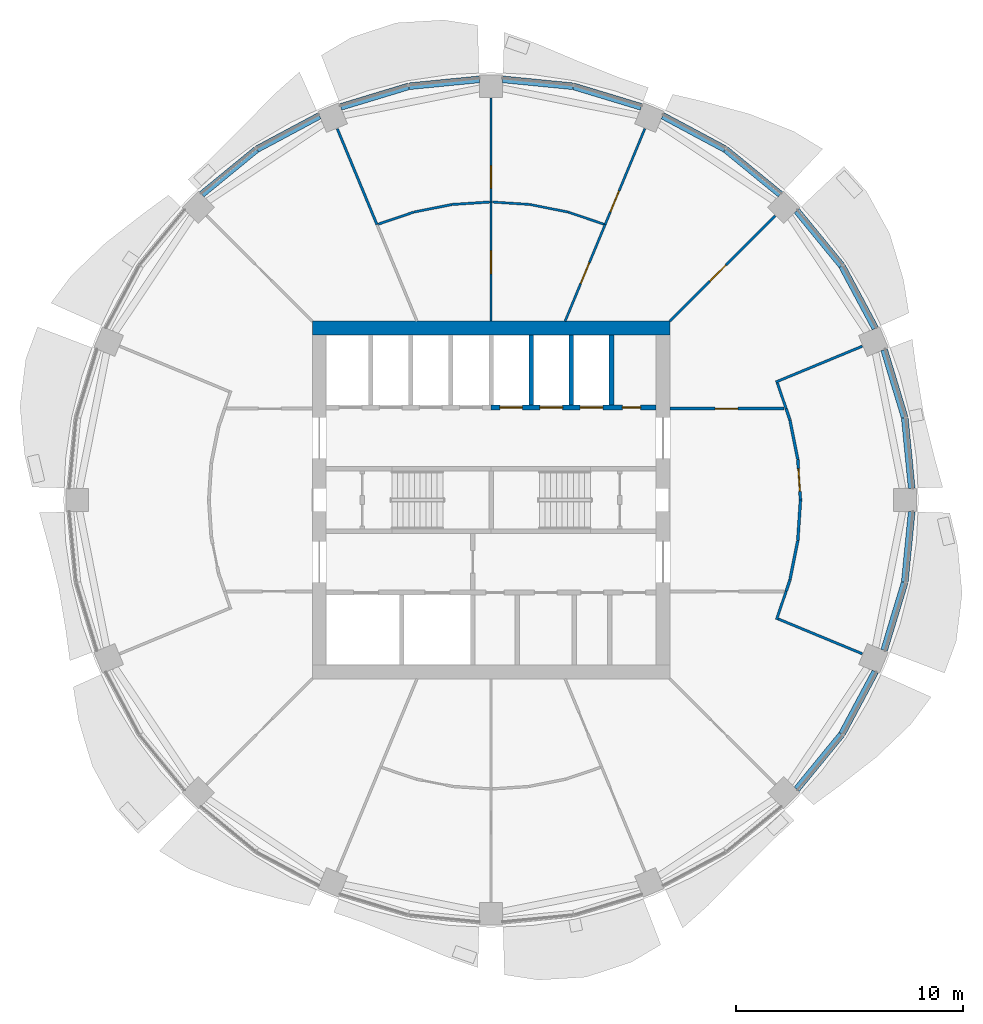
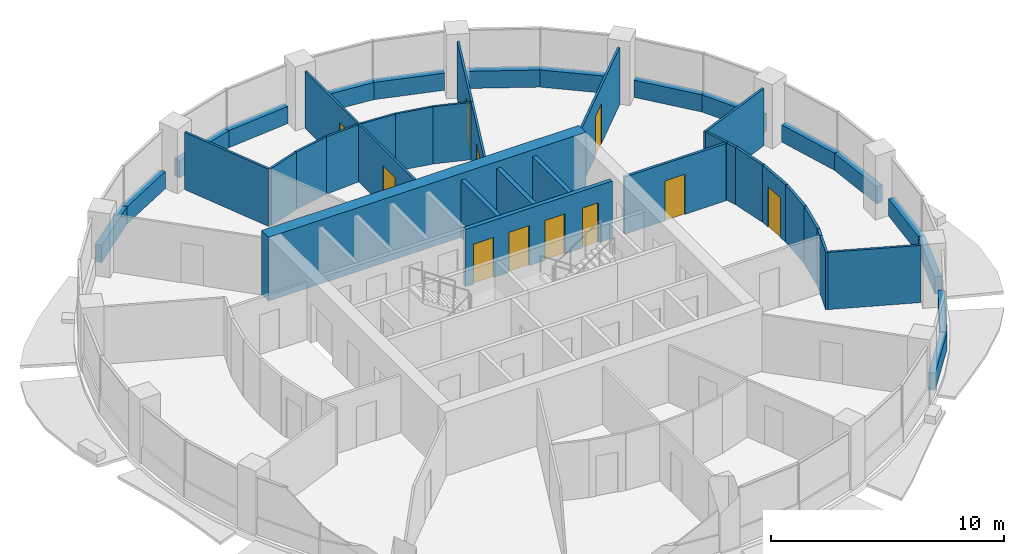
# One storey, part 10 of 15: 44 walls, 11 doors, 11 openings.
"""IFC4 building model written with IfcOpenShell, lengths in metres."""

from ifc_helpers import new_model, si_unit, direction, frame, frame_2d, origin, place, context, subcontext, project, spatial, rectangle, extrude, material, layer, layer_set, type_object, element, fill, save


model = new_model("IFC4")

# Units and contexts
model_context = context("Model", 3, precision=1e-05, world=origin(), true_north=direction((0.0, 1.0)))
body_context = subcontext(model_context, "Body", "Model", "MODEL_VIEW")
ifc_project = project(units=[si_unit("LENGTHUNIT", "METRE"), si_unit("AREAUNIT", "SQUARE_METRE"), si_unit("VOLUMEUNIT", "CUBIC_METRE"), si_unit("PLANEANGLEUNIT", "RADIAN"), si_unit("MASSUNIT", "GRAM", prefix="KILO")], contexts=[model_context])

# Site, building, storey
site_placement = place(None, origin())
site = spatial("IfcSite", under=ifc_project, at=site_placement, CompositionType="ELEMENT")
building_placement = place(site_placement, origin())
building = spatial("IfcBuilding", under=site, at=building_placement, Name="Polderwave Tower", CompositionType="ELEMENT")
storey_placement = place(building_placement, frame((0.0, 0.0, 157.800048828125)))
storey = spatial("IfcBuildingStorey", under=building, at=storey_placement, Name="L42", CompositionType="ELEMENT", Elevation=157.800048828125)

# Walls
ifc_material_1 = material(Name="Concrete C60/75", Category="concrete")
ifc_layer_1 = layer(ifc_material_1, 0.60009765625)
ifc_layer_set_1 = layer_set([ifc_layer_1], Name="CORE WALL 600 C60/75")
wall_type_1 = type_object("IfcWallType", Name="CORE WALL 600 C60/75", PredefinedType="SHEAR", material=ifc_layer_set_1)
wall_1_placement = place(storey_placement, frame((-7.8740234375, 7.573974609375, 0.0), z_axis=(0.0, 0.0, 1.0), x_axis=(1.0, 0.0, 0.0)))
element("IfcWall", 1, at=wall_1_placement, inside=storey, type_object=wall_type_1, Name="ST-CORE-L42-N", PredefinedType="SHEAR", context=body_context, shape_type="SweptSolid", body=[
    extrude(rectangle(XDim=15.748046875, YDim=0.60009765625, at=frame_2d((7.8740234375, 0.0))), origin(), (0.0, 0.0, 1.0), 3.349853515625),
])
ifc_material_2 = material(Name="Concrete C50/60 (board-marked)", Category="concrete")
ifc_layer_2 = layer(ifc_material_2, 0.300048828125)
ifc_layer_set_2 = layer_set([ifc_layer_2], Name="Concrete spandrel upstand C50/60")
wall_type_2 = type_object("IfcWallType", Name="Concrete spandrel upstand C50/60", PredefinedType="SOLIDWALL", material=ifc_layer_set_2)
wall_2_placement = place(storey_placement, frame((18.529541015625, 0.513916015625, 0.0), z_axis=(0.0, 0.0, 1.0), x_axis=(-0.098011857239, 0.995185246997, 0.0)))
element("IfcWall", 2, at=wall_2_placement, inside=storey, type_object=wall_type_2, Name="Spandrel L42 1a", PredefinedType="SOLIDWALL", context=body_context, shape_type="SweptSolid", body=[
    extrude(rectangle(XDim=3.111083984375, YDim=0.300048828125, at=frame_2d((1.5556640625, 0.0))), origin(), (0.0, 0.0, 1.0), 0.89990234375),
])
wall_3_placement = place(storey_placement, frame((18.218505859375, 3.639404296875, 0.0), z_axis=(0.0, 0.0, 1.0), x_axis=(-0.29026219948, 0.956947154002, 0.0)))
element("IfcWall", 3, at=wall_3_placement, inside=storey, type_object=wall_type_2, Name="Spandrel L42 1b", PredefinedType="SOLIDWALL", context=body_context, shape_type="SweptSolid", body=[
    extrude(rectangle(XDim=3.111328125, YDim=0.300048828125, at=frame_2d((1.5556640625, 0.0))), origin(), (0.0, 0.0, 1.0), 0.89990234375),
])
wall_4_placement = place(storey_placement, frame((16.921875, 7.565185546875, 0.0), z_axis=(0.0, 0.0, 1.0), x_axis=(-0.471467771589, 0.881883291798, 0.0)))
element("IfcWall", 4, at=wall_4_placement, inside=storey, type_object=wall_type_2, Name="Spandrel L42 2a", PredefinedType="SOLIDWALL", context=body_context, shape_type="SweptSolid", body=[
    extrude(rectangle(XDim=3.111083984375, YDim=0.300048828125, at=frame_2d((1.5556640625, 0.0))), origin(), (0.0, 0.0, 1.0), 0.89990234375),
])
for number, where, z_axis, x_axis, name in (
    (5, (15.4384765625, 10.33349609375, 0.0), (0.0, 0.0, 1.0), (-0.634074896441, 0.773271637721, 0.0), "Spandrel L42 2b"),
    (6, (12.739501953125, 13.465576171875, 0.0), (0.0, 0.0, 1.0), (-0.773271637721, 0.634074896441, 0.0), "Spandrel L42 3a"),
):
    element("IfcWall", number, at=place(storey_placement, frame(where, z_axis=z_axis, x_axis=x_axis)), inside=storey, type_object=wall_type_2, Name=name, PredefinedType="SOLIDWALL", context=body_context, shape_type="SweptSolid", body=[
        extrude(rectangle(XDim=3.111572265625, YDim=0.300048828125, at=frame_2d((1.5556640625, 0.0))), origin(), (0.0, 0.0, 1.0), 0.89990234375),
    ])
wall_5_placement = place(storey_placement, frame((10.308837890625, 15.455078125, 0.0), z_axis=(0.0, 0.0, 1.0), x_axis=(-0.881883291798, 0.471467771589, 0.0)))
element("IfcWall", 7, at=wall_5_placement, inside=storey, type_object=wall_type_2, Name="Spandrel L42 3b", PredefinedType="SOLIDWALL", context=body_context, shape_type="SweptSolid", body=[
    extrude(rectangle(XDim=3.111083984375, YDim=0.300048828125, at=frame_2d((1.5556640625, 0.0))), origin(), (0.0, 0.0, 1.0), 0.89990234375),
])
wall_6_placement = place(storey_placement, frame((6.61669921875, 17.3154296875, 0.0), z_axis=(0.0, 0.0, 1.0), x_axis=(-0.956947154002, 0.29026219948, 0.0)))
element("IfcWall", 8, at=wall_6_placement, inside=storey, type_object=wall_type_2, Name="Spandrel L42 4a", PredefinedType="SOLIDWALL", context=body_context, shape_type="SweptSolid", body=[
    extrude(rectangle(XDim=3.111328125, YDim=0.300048828125, at=frame_2d((1.5556640625, 0.0))), origin(), (0.0, 0.0, 1.0), 0.89990234375),
])
for number, where, z_axis, x_axis, name in (
    (9, (3.610107421875, 18.224609375, 0.0), (0.0, 0.0, 1.0), (-0.995185246997, 0.098011857239, 0.0), "Spandrel L42 4b"),
    (10, (-0.513916015625, 18.529541015625, 0.0), (0.0, 0.0, 1.0), (-0.995185246997, -0.098011857239, 0.0), "Spandrel L42 5a"),
):
    element("IfcWall", number, at=place(storey_placement, frame(where, z_axis=z_axis, x_axis=x_axis)), inside=storey, type_object=wall_type_2, Name=name, PredefinedType="SOLIDWALL", context=body_context, shape_type="SweptSolid", body=[
        extrude(rectangle(XDim=3.111083984375, YDim=0.300048828125, at=frame_2d((1.5556640625, 0.0))), origin(), (0.0, 0.0, 1.0), 0.89990234375),
    ])
wall_7_placement = place(storey_placement, frame((-3.639404296875, 18.218505859375, 0.0), z_axis=(0.0, 0.0, 1.0), x_axis=(-0.956947154002, -0.29026219948, 0.0)))
element("IfcWall", 11, at=wall_7_placement, inside=storey, type_object=wall_type_2, Name="Spandrel L42 5b", PredefinedType="SOLIDWALL", context=body_context, shape_type="SweptSolid", body=[
    extrude(rectangle(XDim=3.111328125, YDim=0.300048828125, at=frame_2d((1.5556640625, 0.0))), origin(), (0.0, 0.0, 1.0), 0.89990234375),
])
wall_8_placement = place(storey_placement, frame((-7.565185546875, 16.921875, 0.0), z_axis=(0.0, 0.0, 1.0), x_axis=(-0.881883291798, -0.471467771589, 0.0)))
element("IfcWall", 12, at=wall_8_placement, inside=storey, type_object=wall_type_2, Name="Spandrel L42 6a", PredefinedType="SOLIDWALL", context=body_context, shape_type="SweptSolid", body=[
    extrude(rectangle(XDim=3.111083984375, YDim=0.300048828125, at=frame_2d((1.5556640625, 0.0))), origin(), (0.0, 0.0, 1.0), 0.89990234375),
])
for number, where, z_axis, x_axis, name in (
    (13, (-10.33349609375, 15.4384765625, 0.0), (0.0, 0.0, 1.0), (-0.773271637721, -0.634074896441, 0.0), "Spandrel L42 6b"),
    (14, (13.465576171875, -12.739501953125, 0.0), (0.0, 0.0, 1.0), (0.634074896441, 0.773271637721, 0.0), "Spandrel L42 15a"),
):
    element("IfcWall", number, at=place(storey_placement, frame(where, z_axis=z_axis, x_axis=x_axis)), inside=storey, type_object=wall_type_2, Name=name, PredefinedType="SOLIDWALL", context=body_context, shape_type="SweptSolid", body=[
        extrude(rectangle(XDim=3.111572265625, YDim=0.300048828125, at=frame_2d((1.5556640625, 0.0))), origin(), (0.0, 0.0, 1.0), 0.89990234375),
    ])
wall_9_placement = place(storey_placement, frame((15.455078125, -10.308837890625, 0.0), z_axis=(0.0, 0.0, 1.0), x_axis=(0.471467771589, 0.881883291798, 0.0)))
element("IfcWall", 15, at=wall_9_placement, inside=storey, type_object=wall_type_2, Name="Spandrel L42 15b", PredefinedType="SOLIDWALL", context=body_context, shape_type="SweptSolid", body=[
    extrude(rectangle(XDim=3.111083984375, YDim=0.300048828125, at=frame_2d((1.5556640625, 0.0))), origin(), (0.0, 0.0, 1.0), 0.89990234375),
])
wall_10_placement = place(storey_placement, frame((17.3154296875, -6.61669921875, 0.0), z_axis=(0.0, 0.0, 1.0), x_axis=(0.29026219948, 0.956947154002, 0.0)))
element("IfcWall", 16, at=wall_10_placement, inside=storey, type_object=wall_type_2, Name="Spandrel L42 16a", PredefinedType="SOLIDWALL", context=body_context, shape_type="SweptSolid", body=[
    extrude(rectangle(XDim=3.111328125, YDim=0.300048828125, at=frame_2d((1.5556640625, 0.0))), origin(), (0.0, 0.0, 1.0), 0.89990234375),
])
wall_11_placement = place(storey_placement, frame((18.224609375, -3.610107421875, 0.0), z_axis=(0.0, 0.0, 1.0), x_axis=(0.098011857239, 0.995185246997, 0.0)))
element("IfcWall", 17, at=wall_11_placement, inside=storey, type_object=wall_type_2, Name="Spandrel L42 16b", PredefinedType="SOLIDWALL", context=body_context, shape_type="SweptSolid", body=[
    extrude(rectangle(XDim=3.111083984375, YDim=0.300048828125, at=frame_2d((1.5556640625, 0.0))), origin(), (0.0, 0.0, 1.0), 0.89990234375),
])

# Wall, openings, doors
ifc_material_3 = material(Name="Concrete C50/60", Category="concrete")
ifc_layer_3 = layer(ifc_material_3, 0.199951171875)
ifc_layer_set_3 = layer_set([ifc_layer_3], Name="Core web wall 200")
wall_type_3 = type_object("IfcWallType", Name="Core web wall 200", PredefinedType="SHEAR", material=ifc_layer_set_3)
wall_12_placement = place(storey_placement, frame((0.0, 4.073974609375, 0.0), z_axis=(0.0, 0.0, 1.0), x_axis=(1.0, 0.0, 0.0)))
wall_12 = element("IfcWall", 18, at=wall_12_placement, inside=storey, type_object=wall_type_3, Name="L42 north front wall 2", PredefinedType="SHEAR", context=body_context, shape_type="SweptSolid", body=[
    extrude(rectangle(XDim=7.27392578125, YDim=0.199951171875, at=frame_2d((3.636962890625, 0.0))), origin(), (0.0, 0.0, 1.0), 3.0),
])
opening_1_placement = place(wall_12_placement, frame((0.38427734375, 0.0, 0.0)))
opening_1 = element("IfcOpeningElement", 19, at=opening_1_placement, cuts=wall_12, Name="Opening L42-D07", PredefinedType="OPENING", context=body_context, shape_type="SweptSolid", body=[
    extrude(rectangle(XDim=1.0, YDim=2.10009765625, at=frame_2d((0.5, 1.050048828125))), frame((0.0, 0.10986328125, 0.0), z_axis=(0.0, -1.0, 0.0), x_axis=(1.0, 0.0, 0.0)), (0.0, 0.0, 1.0), 0.219970703125),
])
opening_2_placement = place(wall_12_placement, frame((2.15283203125, 0.0, 0.0)))
opening_2 = element("IfcOpeningElement", 20, at=opening_2_placement, cuts=wall_12, Name="Opening L42-D08", PredefinedType="OPENING", context=body_context, shape_type="SweptSolid", body=[
    extrude(rectangle(XDim=1.0, YDim=2.10009765625, at=frame_2d((0.5, 1.050048828125))), frame((0.0, 0.10986328125, 0.0), z_axis=(0.0, -1.0, 0.0), x_axis=(1.0, 0.0, 0.0)), (0.0, 0.0, 1.0), 0.219970703125),
])
opening_3_placement = place(wall_12_placement, frame((3.921142578125, 0.0, 0.0)))
opening_3 = element("IfcOpeningElement", 21, at=opening_3_placement, cuts=wall_12, Name="Opening L42-D09", PredefinedType="OPENING", context=body_context, shape_type="SweptSolid", body=[
    extrude(rectangle(XDim=1.0, YDim=2.10009765625, at=frame_2d((0.5, 1.050048828125))), frame((0.0, 0.10986328125, 0.0), z_axis=(0.0, -1.0, 0.0), x_axis=(1.0, 0.0, 0.0)), (0.0, 0.0, 1.0), 0.219970703125),
])
opening_4_placement = place(wall_12_placement, frame((5.789794921875, 0.0, 0.0)))
opening_4 = element("IfcOpeningElement", 22, at=opening_4_placement, cuts=wall_12, Name="Opening L42-D19", PredefinedType="OPENING", context=body_context, shape_type="SweptSolid", body=[
    extrude(rectangle(XDim=0.800048828125, YDim=2.10009765625, at=frame_2d((0.39990234375, 1.050048828125))), frame((0.0, 0.10986328125, 0.0), z_axis=(0.0, -1.0, 0.0), x_axis=(1.0, 0.0, 0.0)), (0.0, 0.0, 1.0), 0.219970703125),
])
ifc_material_4 = material(Name="Stainless steel", Category="steel")
door_type_1 = type_object("IfcDoorType", Name="Lift landing door 1000", OperationType="DOUBLE_DOOR_SLIDING", PredefinedType="DOOR", material=ifc_material_4)
door_1_placement = place(opening_1_placement, frame((1.0, 0.0, 0.0), z_axis=(0.0, 0.0, 1.0), x_axis=(-1.0, 0.0, 0.0)))
door_1 = element("IfcDoor", 23, at=door_1_placement, inside=storey, type_object=door_type_1, Name="Lift HL5 landing door", OperationType="DOUBLE_DOOR_SLIDING", OverallHeight=2.10009765625, OverallWidth=1.0, PredefinedType="DOOR", context=body_context, shape_type="SweptSolid", body=[
    extrude(rectangle(XDim=1.0, YDim=2.10009765625, at=frame_2d((0.5, 1.050048828125))), frame((0.0, 0.02490234375, 0.0), z_axis=(0.0, -1.0, 0.0), x_axis=(1.0, 0.0, 0.0)), (0.0, 0.0, 1.0), 0.050048828125),
])
fill(opening_1, door_1)
door_2_placement = place(opening_2_placement, frame((1.0, 0.0, 0.0), z_axis=(0.0, 0.0, 1.0), x_axis=(-1.0, 0.0, 0.0)))
door_2 = element("IfcDoor", 24, at=door_2_placement, inside=storey, type_object=door_type_1, Name="Lift HL6 landing door", OperationType="DOUBLE_DOOR_SLIDING", OverallHeight=2.10009765625, OverallWidth=1.0, PredefinedType="DOOR", context=body_context, shape_type="SweptSolid", body=[
    extrude(rectangle(XDim=1.0, YDim=2.10009765625, at=frame_2d((0.5, 1.050048828125))), frame((0.0, 0.02490234375, 0.0), z_axis=(0.0, -1.0, 0.0), x_axis=(1.0, 0.0, 0.0)), (0.0, 0.0, 1.0), 0.050048828125),
])
fill(opening_2, door_2)
door_3_placement = place(opening_3_placement, frame((1.0, 0.0, 0.0), z_axis=(0.0, 0.0, 1.0), x_axis=(-1.0, 0.0, 0.0)))
door_3 = element("IfcDoor", 25, at=door_3_placement, inside=storey, type_object=door_type_1, Name="Lift HL7 landing door", OperationType="DOUBLE_DOOR_SLIDING", OverallHeight=2.10009765625, OverallWidth=1.0, PredefinedType="DOOR", context=body_context, shape_type="SweptSolid", body=[
    extrude(rectangle(XDim=1.0, YDim=2.10009765625, at=frame_2d((0.5, 1.050048828125))), frame((0.0, 0.02490234375, 0.0), z_axis=(0.0, -1.0, 0.0), x_axis=(1.0, 0.0, 0.0)), (0.0, 0.0, 1.0), 0.050048828125),
])
fill(opening_3, door_3)
ifc_material_5 = material(Name="Steel fire door", Category="steel")
door_type_2 = type_object("IfcDoorType", Name="Riser door 800", OperationType="NOTDEFINED", PredefinedType="DOOR", material=ifc_material_5)
door_4_placement = place(opening_4_placement, frame((0.800048828125, 0.0, 0.0), z_axis=(0.0, 0.0, 1.0), x_axis=(-1.0, 0.0, 0.0)))
door_4 = element("IfcDoor", 26, at=door_4_placement, inside=storey, type_object=door_type_2, Name="Riser door", OperationType="SINGLE_SWING_LEFT", OverallHeight=2.10009765625, OverallWidth=0.800048828125, PredefinedType="DOOR", context=body_context, shape_type="SweptSolid", body=[
    extrude(rectangle(XDim=0.800048828125, YDim=2.10009765625, at=frame_2d((0.39990234375, 1.050048828125))), frame((0.0, 0.02490234375, 0.0), z_axis=(0.0, -1.0, 0.0), x_axis=(1.0, 0.0, 0.0)), (0.0, 0.0, 1.0), 0.050048828125),
])
fill(opening_4, door_4)

# Walls
ifc_material_6 = material(Name="Fire-resisting board on steel studs", Category="steel")
ifc_layer_4 = layer(ifc_material_6, 0.125)
ifc_layer_set_4 = layer_set([ifc_layer_4], Name="Corridor wall 125 mm EI 60")
wall_type_4 = type_object("IfcWallType", Name="Corridor wall 125 mm EI 60", PredefinedType="PARTITIONING", material=ifc_layer_set_4)
for number, where, z_axis, x_axis, name in (
    (27, (12.996826171875, 4.0244140625, 0.0), (0.0, 0.0, 1.0), (0.321709356611, -0.946838470843, 0.0), "IN-L42-W001"),
    (28, (13.164306640625, -3.531494140625, 0.0), (0.0, 0.0, 1.0), (-0.321709356611, -0.946838470843, 0.0), "IN-L42-W002"),
):
    element("IfcWall", number, at=place(storey_placement, frame(where, z_axis=z_axis, x_axis=x_axis)), inside=storey, type_object=wall_type_4, Name=name, PredefinedType="PARTITIONING", context=body_context, shape_type="SweptSolid", body=[
        extrude(rectangle(XDim=0.5205078125, YDim=0.125, at=frame_2d((0.26025390625, 0.0))), origin(), (0.0, 0.0, 1.0), 3.0),
    ])
for number, where, z_axis, x_axis, name in (
    (29, (13.16650390625, 3.523681640625, 0.0), (0.0, 0.0, 1.0), (0.195084198994, -0.980786498328, 0.0), "IN-L42-W003"),
    (30, (13.5126953125, -1.783203125, 0.0), (0.0, 0.0, 1.0), (-0.195084198994, -0.980786498328, 0.0), "IN-L42-W004"),
):
    element("IfcWall", number, at=place(storey_placement, frame(where, z_axis=z_axis, x_axis=x_axis)), inside=storey, type_object=wall_type_4, Name=name, PredefinedType="PARTITIONING", context=body_context, shape_type="SweptSolid", body=[
        extrude(rectangle(XDim=1.774658203125, YDim=0.125, at=frame_2d((0.88720703125, 0.0))), origin(), (0.0, 0.0, 1.0), 3.0),
    ])

# Wall, opening, door
wall_13_placement = place(storey_placement, frame((13.513671875, 1.77490234375, 0.0), z_axis=(0.0, 0.0, 1.0), x_axis=(0.065350149908, -0.997862394274, 0.0)))
wall_13 = element("IfcWall", 31, at=wall_13_placement, inside=storey, type_object=wall_type_4, Name="IN-L42-W005", PredefinedType="PARTITIONING", context=body_context, shape_type="SweptSolid", body=[
    extrude(rectangle(XDim=1.774658203125, YDim=0.125, at=frame_2d((0.88720703125, 0.0))), origin(), (0.0, 0.0, 1.0), 3.0),
])
opening_5_placement = place(wall_13_placement, frame((0.39990234375, 0.0, 0.0)))
opening_5 = element("IfcOpeningElement", 32, at=opening_5_placement, cuts=wall_13, Name="Opening L42-D50", PredefinedType="OPENING", context=body_context, shape_type="SweptSolid", body=[
    extrude(rectangle(XDim=1.0, YDim=2.10009765625, at=frame_2d((0.5, 1.050048828125))), frame((0.0, 0.072509765625, 0.0), z_axis=(0.0, -1.0, 0.0), x_axis=(1.0, 0.0, 0.0)), (0.0, 0.0, 1.0), 0.14501953125),
])
ifc_material_7 = material(Name="Timber fire door leaf", Category="wood")
door_type_3 = type_object("IfcDoorType", Name="Fire door FD30S 1000 x 2100", OperationType="NOTDEFINED", PredefinedType="DOOR", material=ifc_material_7)
door_5_placement = place(opening_5_placement, origin())
door_5 = element("IfcDoor", 33, at=door_5_placement, inside=storey, type_object=door_type_3, Name="Door L42-D50", OperationType="SINGLE_SWING_RIGHT", OverallHeight=2.10009765625, OverallWidth=1.0, PredefinedType="DOOR", context=body_context, shape_type="SweptSolid", body=[
    extrude(rectangle(XDim=1.0, YDim=2.10009765625, at=frame_2d((0.5, 1.050048828125))), frame((0.0, 0.02490234375, 0.0), z_axis=(0.0, -1.0, 0.0), x_axis=(1.0, 0.0, 0.0)), (0.0, 0.0, 1.0), 0.050048828125),
])
fill(opening_5, door_5)

# Wall
wall_14_placement = place(storey_placement, frame((13.629638671875, -0.004150390625, 0.0), z_axis=(0.0, 0.0, 1.0), x_axis=(-0.065350149908, -0.997862394274, 0.0)))
element("IfcWall", 34, at=wall_14_placement, inside=storey, type_object=wall_type_4, Name="IN-L42-W006", PredefinedType="PARTITIONING", context=body_context, shape_type="SweptSolid", body=[
    extrude(rectangle(XDim=1.774658203125, YDim=0.125, at=frame_2d((0.88720703125, 0.0))), origin(), (0.0, 0.0, 1.0), 3.0),
])

# Wall, opening, door
wall_15_placement = place(storey_placement, frame((7.8740234375, 4.0244140625, 0.0), z_axis=(0.0, 0.0, 1.0), x_axis=(1.0, 0.0, 0.0)))
wall_15 = element("IfcWall", 35, at=wall_15_placement, inside=storey, type_object=wall_type_4, Name="IN-L42-W007", PredefinedType="PARTITIONING", context=body_context, shape_type="SweptSolid", body=[
    extrude(rectangle(XDim=5.03564453125, YDim=0.125, at=frame_2d((2.517822265625, 0.0))), origin(), (0.0, 0.0, 1.0), 3.0),
])
opening_6_placement = place(wall_15_placement, frame((2.0, 0.0, 0.0)))
opening_6 = element("IfcOpeningElement", 36, at=opening_6_placement, cuts=wall_15, Name="Opening L42-D51", PredefinedType="OPENING", context=body_context, shape_type="SweptSolid", body=[
    extrude(rectangle(XDim=1.0, YDim=2.10009765625, at=frame_2d((0.5, 1.050048828125))), frame((0.0, 0.072509765625, 0.0), z_axis=(0.0, -1.0, 0.0), x_axis=(1.0, 0.0, 0.0)), (0.0, 0.0, 1.0), 0.14501953125),
])
door_6_placement = place(opening_6_placement, origin())
door_6 = element("IfcDoor", 37, at=door_6_placement, inside=storey, type_object=door_type_3, Name="Door L42-D51", OperationType="SINGLE_SWING_LEFT", OverallHeight=2.10009765625, OverallWidth=1.0, PredefinedType="DOOR", context=body_context, shape_type="SweptSolid", body=[
    extrude(rectangle(XDim=1.0, YDim=2.10009765625, at=frame_2d((0.5, 1.050048828125))), frame((0.0, 0.02490234375, 0.0), z_axis=(0.0, -1.0, 0.0), x_axis=(1.0, 0.0, 0.0)), (0.0, 0.0, 1.0), 0.050048828125),
])
fill(opening_6, door_6)

ifc_material_8 = material(Name="Plasterboard on steel studs", Category="steel")
ifc_layer_5 = layer(ifc_material_8, 0.10009765625)
ifc_layer_set_5 = layer_set([ifc_layer_5], Name="Partition 100 mm plasterboard on steel studs")
wall_type_5 = type_object("IfcWallType", Name="Partition 100 mm plasterboard on steel studs", PredefinedType="PARTITIONING", material=ifc_layer_set_5)
wall_16_placement = place(storey_placement, frame((7.8740234375, 7.8740234375, 0.0), z_axis=(0.0, 0.0, 1.0), x_axis=(0.707106781187, 0.707106781187, 0.0)))
wall_16 = element("IfcWall", 38, at=wall_16_placement, inside=storey, type_object=wall_type_5, Name="IN-L42-W021", PredefinedType="PARTITIONING", context=body_context, shape_type="SweptSolid", body=[
    extrude(rectangle(XDim=6.564453125, YDim=0.10009765625, at=frame_2d((3.2822265625, 0.0))), origin(), (0.0, 0.0, 1.0), 3.0),
])
opening_7_placement = place(wall_16_placement, frame((2.5, 0.0, 0.0)))
opening_7 = element("IfcOpeningElement", 39, at=opening_7_placement, cuts=wall_16, Name="Opening L42-D56", PredefinedType="OPENING", context=body_context, shape_type="SweptSolid", body=[
    extrude(rectangle(XDim=1.0, YDim=2.10009765625, at=frame_2d((0.5, 1.050048828125))), frame((0.0, 0.06005859375, 0.0), z_axis=(0.0, -1.0, 0.0), x_axis=(1.0, 0.0, 0.0)), (0.0, 0.0, 1.0), 0.1201171875),
])
ifc_material_9 = material(Name="Timber veneer door leaf", Category="wood")
door_type_4 = type_object("IfcDoorType", Name="Single door 1000 x 2100", OperationType="NOTDEFINED", PredefinedType="DOOR", material=ifc_material_9)
door_7_placement = place(opening_7_placement, origin())
door_7 = element("IfcDoor", 40, at=door_7_placement, inside=storey, type_object=door_type_4, Name="Door L42-D56", OperationType="SINGLE_SWING_LEFT", OverallHeight=2.10009765625, OverallWidth=1.0, PredefinedType="DOOR", context=body_context, shape_type="SweptSolid", body=[
    extrude(rectangle(XDim=1.0, YDim=2.10009765625, at=frame_2d((0.5, 1.050048828125))), frame((0.0, 0.02490234375, 0.0), z_axis=(0.0, -1.0, 0.0), x_axis=(1.0, 0.0, 0.0)), (0.0, 0.0, 1.0), 0.050048828125),
])
fill(opening_7, door_7)

wall_17_placement = place(storey_placement, frame((3.261474609375, 7.8740234375, 0.0), z_axis=(0.0, 0.0, 1.0), x_axis=(0.382691869474, 0.923876037701, 0.0)))
wall_17 = element("IfcWall", 41, at=wall_17_placement, inside=storey, type_object=wall_type_5, Name="IN-L42-W022", PredefinedType="PARTITIONING", context=body_context, shape_type="SweptSolid", body=[
    extrude(rectangle(XDim=4.607421875, YDim=0.10009765625, at=frame_2d((2.3037109375, 0.0))), origin(), (0.0, 0.0, 1.0), 3.0),
])
opening_8_placement = place(wall_17_placement, frame((1.800048828125, 0.0, 0.0)))
opening_8 = element("IfcOpeningElement", 42, at=opening_8_placement, cuts=wall_17, Name="Opening L42-D57", PredefinedType="OPENING", context=body_context, shape_type="SweptSolid", body=[
    extrude(rectangle(XDim=1.0, YDim=2.10009765625, at=frame_2d((0.5, 1.050048828125))), frame((0.0, 0.06005859375, 0.0), z_axis=(0.0, -1.0, 0.0), x_axis=(1.0, 0.0, 0.0)), (0.0, 0.0, 1.0), 0.1201171875),
])
door_8_placement = place(opening_8_placement, origin())
door_8 = element("IfcDoor", 43, at=door_8_placement, inside=storey, type_object=door_type_4, Name="Door L42-D57", OperationType="SINGLE_SWING_LEFT", OverallHeight=2.10009765625, OverallWidth=1.0, PredefinedType="DOOR", context=body_context, shape_type="SweptSolid", body=[
    extrude(rectangle(XDim=1.0, YDim=2.10009765625, at=frame_2d((0.5, 1.050048828125))), frame((0.0, 0.02490234375, 0.0), z_axis=(0.0, -1.0, 0.0), x_axis=(1.0, 0.0, 0.0)), (0.0, 0.0, 1.0), 0.050048828125),
])
fill(opening_8, door_8)

wall_18_placement = place(storey_placement, frame((5.024658203125, 12.130615234375, 0.0), z_axis=(0.0, 0.0, 1.0), x_axis=(0.382664766489, 0.923887263949, 0.0)))
wall_18 = element("IfcWall", 44, at=wall_18_placement, inside=storey, type_object=wall_type_5, Name="IN-L42-W023", PredefinedType="PARTITIONING", context=body_context, shape_type="SweptSolid", body=[
    extrude(rectangle(XDim=4.570068359375, YDim=0.10009765625, at=frame_2d((2.28515625, 0.0))), origin(), (0.0, 0.0, 1.0), 3.0),
])
opening_9_placement = place(wall_18_placement, frame((0.60009765625, 0.0, 0.0)))
opening_9 = element("IfcOpeningElement", 45, at=opening_9_placement, cuts=wall_18, Name="Opening L42-D58", PredefinedType="OPENING", context=body_context, shape_type="SweptSolid", body=[
    extrude(rectangle(XDim=1.0, YDim=2.10009765625, at=frame_2d((0.5, 1.050048828125))), frame((0.0, 0.06005859375, 0.0), z_axis=(0.0, -1.0, 0.0), x_axis=(1.0, 0.0, 0.0)), (0.0, 0.0, 1.0), 0.1201171875),
])
door_9_placement = place(opening_9_placement, origin())
door_9 = element("IfcDoor", 46, at=door_9_placement, inside=storey, type_object=door_type_4, Name="Door L42-D58", OperationType="SINGLE_SWING_LEFT", OverallHeight=2.10009765625, OverallWidth=1.0, PredefinedType="DOOR", context=body_context, shape_type="SweptSolid", body=[
    extrude(rectangle(XDim=1.0, YDim=2.10009765625, at=frame_2d((0.5, 1.050048828125))), frame((0.0, 0.02490234375, 0.0), z_axis=(0.0, -1.0, 0.0), x_axis=(1.0, 0.0, 0.0)), (0.0, 0.0, 1.0), 0.050048828125),
])
fill(opening_9, door_9)

# Walls
wall_19_placement = place(storey_placement, frame((0.055908203125, 13.126220703125, 0.0), z_axis=(0.0, 0.0, 1.0), x_axis=(0.997860729897, -0.065375559108, 0.0)))
element("IfcWall", 47, at=wall_19_placement, inside=storey, type_object=wall_type_5, Name="IN-L42-W024", PredefinedType="PARTITIONING", context=body_context, shape_type="SweptSolid", body=[
    extrude(rectangle(XDim=1.658203125, YDim=0.10009765625, at=frame_2d((0.8291015625, 0.0))), origin(), (0.0, 0.0, 1.0), 3.0),
])
wall_20_placement = place(storey_placement, frame((1.717041015625, 13.01708984375, 0.0), z_axis=(0.0, 0.0, 1.0), x_axis=(0.980761373858, -0.195210469873, 0.0)))
element("IfcWall", 48, at=wall_20_placement, inside=storey, type_object=wall_type_5, Name="IN-L42-W025", PredefinedType="PARTITIONING", context=body_context, shape_type="SweptSolid", body=[
    extrude(rectangle(XDim=1.7109375, YDim=0.10009765625, at=frame_2d((0.85546875, 0.0))), origin(), (0.0, 0.0, 1.0), 3.0),
])
wall_21_placement = place(storey_placement, frame((3.4013671875, 12.681396484375, 0.0), z_axis=(0.0, 0.0, 1.0), x_axis=(0.946964323191, -0.321338716314, 0.0)))
element("IfcWall", 49, at=wall_21_placement, inside=storey, type_object=wall_type_5, Name="IN-L42-W026", PredefinedType="PARTITIONING", context=body_context, shape_type="SweptSolid", body=[
    extrude(rectangle(XDim=1.660888671875, YDim=0.10009765625, at=frame_2d((0.83056640625, 0.0))), origin(), (0.0, 0.0, 1.0), 3.0),
])

# Wall, opening, door
wall_22_placement = place(storey_placement, frame((0.0, 13.1298828125, 0.0), z_axis=(0.0, 0.0, 1.0), x_axis=(0.0, 1.0, 0.0)))
wall_22 = element("IfcWall", 50, at=wall_22_placement, inside=storey, type_object=wall_type_5, Name="IN-L42-W028", PredefinedType="PARTITIONING", context=body_context, shape_type="SweptSolid", body=[
    extrude(rectangle(XDim=4.570068359375, YDim=0.10009765625, at=frame_2d((2.28515625, 0.0))), origin(), (0.0, 0.0, 1.0), 3.0),
])
opening_10_placement = place(wall_22_placement, frame((0.60009765625, 0.0, 0.0)))
opening_10 = element("IfcOpeningElement", 51, at=opening_10_placement, cuts=wall_22, Name="Opening L42-D60", PredefinedType="OPENING", context=body_context, shape_type="SweptSolid", body=[
    extrude(rectangle(XDim=1.0, YDim=2.10009765625, at=frame_2d((0.5, 1.050048828125))), frame((0.0, 0.06005859375, 0.0), z_axis=(0.0, -1.0, 0.0), x_axis=(1.0, 0.0, 0.0)), (0.0, 0.0, 1.0), 0.1201171875),
])
door_10_placement = place(opening_10_placement, origin())
door_10 = element("IfcDoor", 52, at=door_10_placement, inside=storey, type_object=door_type_4, Name="Door L42-D60", OperationType="SINGLE_SWING_LEFT", OverallHeight=2.10009765625, OverallWidth=1.0, PredefinedType="DOOR", context=body_context, shape_type="SweptSolid", body=[
    extrude(rectangle(XDim=1.0, YDim=2.10009765625, at=frame_2d((0.5, 1.050048828125))), frame((0.0, 0.02490234375, 0.0), z_axis=(0.0, -1.0, 0.0), x_axis=(1.0, 0.0, 0.0)), (0.0, 0.0, 1.0), 0.050048828125),
])
fill(opening_10, door_10)

ifc_material_10 = material(Name="Moisture-resistant board on steel studs, tiled", Category="steel")
ifc_layer_6 = layer(ifc_material_10, 0.10498046875)
ifc_layer_set_6 = layer_set([ifc_layer_6], Name="Partition 105 mm wet room board and tile")
wall_type_6 = type_object("IfcWallType", Name="Partition 105 mm wet room board and tile", PredefinedType="PARTITIONING", material=ifc_layer_set_6)
wall_23_placement = place(storey_placement, frame((0.0, 7.8740234375, 0.0), z_axis=(0.0, 0.0, 1.0), x_axis=(0.0, 1.0, 0.0)))
wall_23 = element("IfcWall", 53, at=wall_23_placement, inside=storey, type_object=wall_type_6, Name="IN-L42-W027", PredefinedType="PARTITIONING", context=body_context, shape_type="SweptSolid", body=[
    extrude(rectangle(XDim=5.255859375, YDim=0.10498046875, at=frame_2d((2.6279296875, 0.0))), origin(), (0.0, 0.0, 1.0), 3.0),
])
opening_11_placement = place(wall_23_placement, frame((2.10009765625, 0.0, 0.0)))
opening_11 = element("IfcOpeningElement", 54, at=opening_11_placement, cuts=wall_23, Name="Opening L42-D59", PredefinedType="OPENING", context=body_context, shape_type="SweptSolid", body=[
    extrude(rectangle(XDim=1.0, YDim=2.10009765625, at=frame_2d((0.5, 1.050048828125))), frame((0.0, 0.0625, 0.0), z_axis=(0.0, -1.0, 0.0), x_axis=(1.0, 0.0, 0.0)), (0.0, 0.0, 1.0), 0.125),
])
door_11_placement = place(opening_11_placement, origin())
door_11 = element("IfcDoor", 55, at=door_11_placement, inside=storey, type_object=door_type_4, Name="Door L42-D59", OperationType="SINGLE_SWING_LEFT", OverallHeight=2.10009765625, OverallWidth=1.0, PredefinedType="DOOR", context=body_context, shape_type="SweptSolid", body=[
    extrude(rectangle(XDim=1.0, YDim=2.10009765625, at=frame_2d((0.5, 1.050048828125))), frame((0.0, 0.02490234375, 0.0), z_axis=(0.0, -1.0, 0.0), x_axis=(1.0, 0.0, 0.0)), (0.0, 0.0, 1.0), 0.050048828125),
])
fill(opening_11, door_11)

# Walls
wall_24_placement = place(storey_placement, frame((-4.96923828125, 12.1494140625, 0.0), z_axis=(0.0, 0.0, 1.0), x_axis=(0.946958666381, 0.321355386084, 0.0)))
element("IfcWall", 56, at=wall_24_placement, inside=storey, type_object=wall_type_6, Name="IN-L42-W029", PredefinedType="PARTITIONING", context=body_context, shape_type="SweptSolid", body=[
    extrude(rectangle(XDim=1.655517578125, YDim=0.10498046875, at=frame_2d((0.82763671875, 0.0))), origin(), (0.0, 0.0, 1.0), 3.0),
])
wall_25_placement = place(storey_placement, frame((-3.39501953125, 12.683349609375, 0.0), z_axis=(0.0, 0.0, 1.0), x_axis=(0.980783253741, 0.195100510458, 0.0)))
element("IfcWall", 57, at=wall_25_placement, inside=storey, type_object=wall_type_6, Name="IN-L42-W030", PredefinedType="PARTITIONING", context=body_context, shape_type="SweptSolid", body=[
    extrude(rectangle(XDim=1.710693359375, YDim=0.10498046875, at=frame_2d((0.85546875, 0.0))), origin(), (0.0, 0.0, 1.0), 3.0),
])
wall_26_placement = place(storey_placement, frame((-1.71044921875, 13.017822265625, 0.0), z_axis=(0.0, 0.0, 1.0), x_axis=(0.997860729897, 0.065375559108, 0.0)))
element("IfcWall", 58, at=wall_26_placement, inside=storey, type_object=wall_type_6, Name="IN-L42-W031", PredefinedType="PARTITIONING", context=body_context, shape_type="SweptSolid", body=[
    extrude(rectangle(XDim=1.658203125, YDim=0.10498046875, at=frame_2d((0.8291015625, 0.0))), origin(), (0.0, 0.0, 1.0), 3.0),
])
ifc_material_11 = material(Name="Acoustic double plasterboard on steel studs", Category="steel")
ifc_layer_7 = layer(ifc_material_11, 0.110107421875)
ifc_layer_set_7 = layer_set([ifc_layer_7], Name="Partition 110 mm acoustic double board")
wall_type_7 = type_object("IfcWallType", Name="Partition 110 mm acoustic double board", PredefinedType="PARTITIONING", material=ifc_layer_set_7)
wall_27_placement = place(storey_placement, frame((12.541748046875, 5.195068359375, 0.0), z_axis=(0.0, 0.0, 1.0), x_axis=(0.923897814256, 0.382639293348, 0.0)))
element("IfcWall", 59, at=wall_27_placement, inside=storey, type_object=wall_type_7, Name="IN-L42-W017", PredefinedType="PARTITIONING", context=body_context, shape_type="SweptSolid", body=[
    extrude(rectangle(XDim=4.125, YDim=0.110107421875, at=frame_2d((2.0625, 0.0))), origin(), (0.0, 0.0, 1.0), 3.0),
])
wall_28_placement = place(storey_placement, frame((12.996826171875, 4.0244140625, 0.0), z_axis=(0.0, 0.0, 1.0), x_axis=(-0.321351748038, 0.946959900964, 0.0)))
element("IfcWall", 60, at=wall_28_placement, inside=storey, type_object=wall_type_7, Name="IN-L42-W018", PredefinedType="PARTITIONING", context=body_context, shape_type="SweptSolid", body=[
    extrude(rectangle(XDim=1.19970703125, YDim=0.110107421875, at=frame_2d((0.599853515625, 0.0))), origin(), (0.0, 0.0, 1.0), 3.0),
])
wall_29_placement = place(storey_placement, frame((12.57470703125, -5.26806640625, 0.0), z_axis=(0.0, 0.0, 1.0), x_axis=(0.321409462525, 0.946940313536, 0.0)))
element("IfcWall", 61, at=wall_29_placement, inside=storey, type_object=wall_type_7, Name="IN-L42-W019", PredefinedType="PARTITIONING", context=body_context, shape_type="SweptSolid", body=[
    extrude(rectangle(XDim=1.313232421875, YDim=0.110107421875, at=frame_2d((0.65673828125, 0.0))), origin(), (0.0, 0.0, 1.0), 3.0),
])
wall_30_placement = place(storey_placement, frame((16.352783203125, -6.7734375, 0.0), z_axis=(0.0, 0.0, 1.0), x_axis=(-0.923895925894, 0.382643852839, 0.0)))
element("IfcWall", 62, at=wall_30_placement, inside=storey, type_object=wall_type_7, Name="IN-L42-W020", PredefinedType="PARTITIONING", context=body_context, shape_type="SweptSolid", body=[
    extrude(rectangle(XDim=4.01123046875, YDim=0.110107421875, at=frame_2d((2.005615234375, 0.0))), origin(), (0.0, 0.0, 1.0), 3.0),
])
wall_31_placement = place(storey_placement, frame((-5.024658203125, 12.130615234375, 0.0), z_axis=(0.0, 0.0, 1.0), x_axis=(-0.382664766489, 0.923887263949, 0.0)))
element("IfcWall", 63, at=wall_31_placement, inside=storey, type_object=wall_type_7, Name="IN-L42-W033", PredefinedType="PARTITIONING", context=body_context, shape_type="SweptSolid", body=[
    extrude(rectangle(XDim=4.570068359375, YDim=0.110107421875, at=frame_2d((2.28515625, 0.0))), origin(), (0.0, 0.0, 1.0), 3.0),
])
ifc_material_12 = material(Name="Gypsum shaft wall system")
ifc_layer_8 = layer(ifc_material_12, 0.199951171875)
ifc_layer_set_8 = layer_set([ifc_layer_8], Name="Shaft wall 200")
wall_type_8 = type_object("IfcWallType", Name="Shaft wall 200", PredefinedType="PARTITIONING", material=ifc_layer_set_8)
for number, where, z_axis, x_axis, name in (
    (64, (1.7685546875, 4.174072265625, 0.0), (0.0, 0.0, 1.0), (0.0, 1.0, 0.0), "L42 lift shaft wall N5"),
    (65, (3.537109375, 4.174072265625, 0.0), (0.0, 0.0, 1.0), (0.0, 1.0, 0.0), "L42 lift shaft wall N6"),
    (66, (5.305419921875, 4.174072265625, 0.0), (0.0, 0.0, 1.0), (0.0, 1.0, 0.0), "L42 lift shaft wall N7"),
):
    element("IfcWall", number, at=place(storey_placement, frame(where, z_axis=z_axis, x_axis=x_axis)), inside=storey, type_object=wall_type_8, Name=name, PredefinedType="PARTITIONING", context=body_context, shape_type="SweptSolid", body=[
        extrude(rectangle(XDim=3.099853515625, YDim=0.199951171875, at=frame_2d((1.5498046875, 0.0))), origin(), (0.0, 0.0, 1.0), 3.0),
    ])

save(model, "model.ifc")
